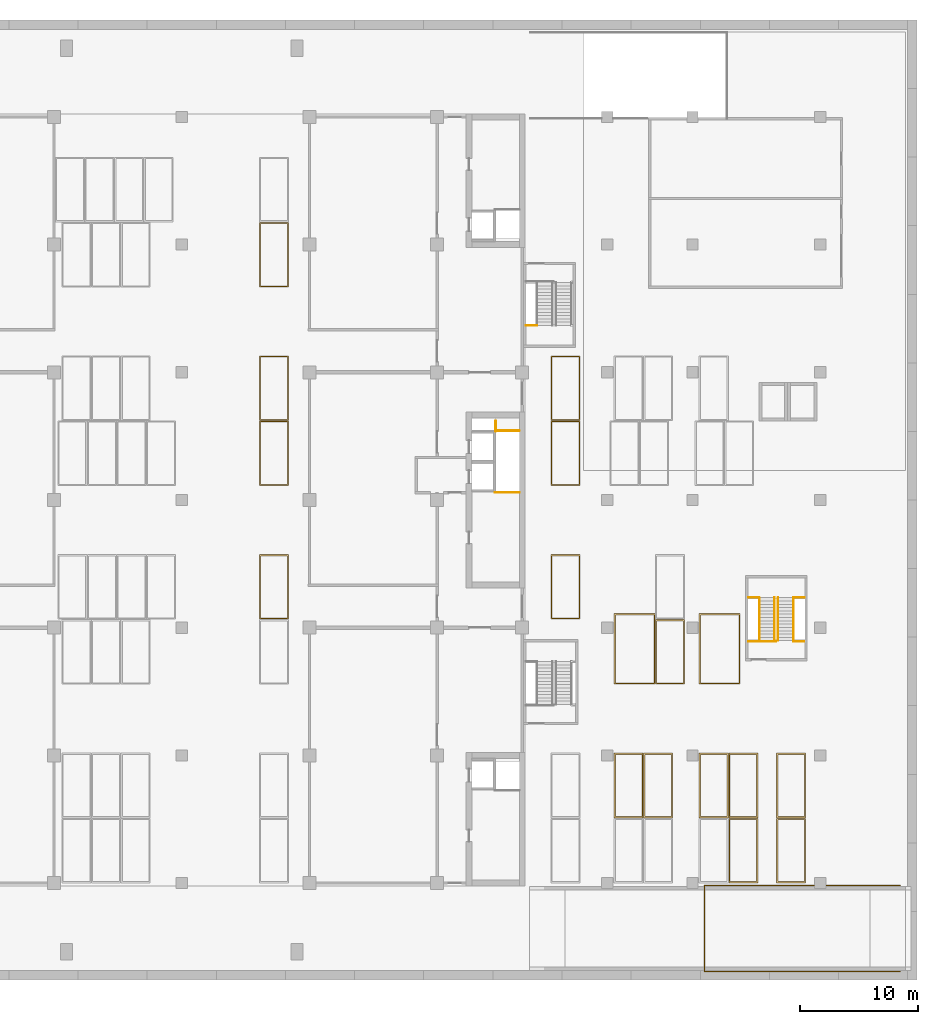
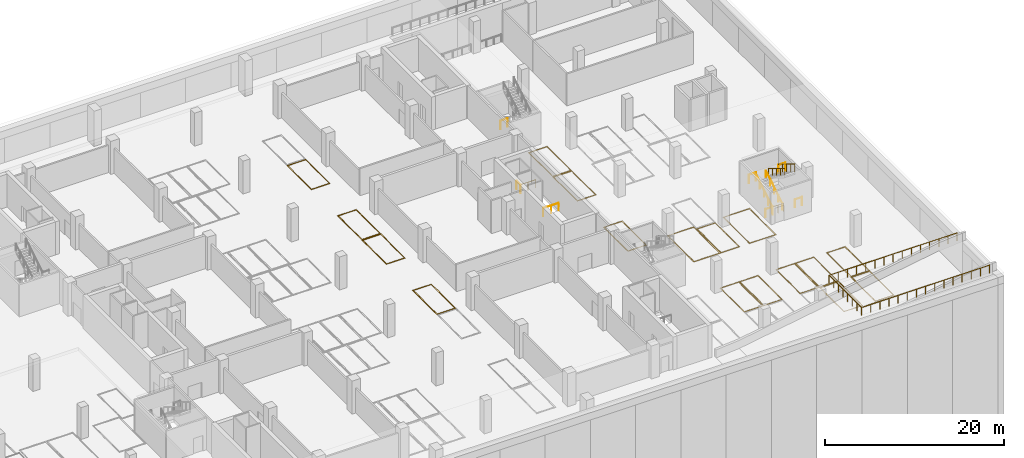
# One storey, part 14 of 18: 17 coverings, 14 railings.
"""IFC4 building model written with IfcOpenShell, lengths in metres."""

from ifc_helpers import new_model, si_unit, direction, frame, origin, origin_2d, place, context, subcontext, project, spatial, polyline, circle, outline, extrude, material, layer, layer_set, type_object, element, save


model = new_model("IFC4")

# Units and contexts
model_context = context("Model", 3, precision=1e-05, world=origin(), true_north=direction((0.0, 1.0)))
body_context = subcontext(model_context, "Body", "Model", "MODEL_VIEW")
ifc_project = project(units=[si_unit("LENGTHUNIT", "METRE"), si_unit("AREAUNIT", "SQUARE_METRE"), si_unit("VOLUMEUNIT", "CUBIC_METRE"), si_unit("PLANEANGLEUNIT", "RADIAN"), si_unit("MASSUNIT", "GRAM", prefix="KILO")], contexts=[model_context])

# Site, building, storey
site_placement = place(None, origin())
site = spatial("IfcSite", under=ifc_project, at=site_placement, CompositionType="ELEMENT")
building_placement = place(site_placement, origin())
building = spatial("IfcBuilding", under=site, at=building_placement, Name="Basin Gate Institute", CompositionType="ELEMENT")
storey_placement = place(building_placement, frame((0.0, 0.0, -4.800048828125)))
storey = spatial("IfcBuildingStorey", under=building, at=storey_placement, Name="B1", CompositionType="ELEMENT", Elevation=-4.800048828125)

# Coverings
ifc_material_1 = material(Name="Road marking paint, blue")
ifc_layer_1 = layer(ifc_material_1, 0.010009765625)
ifc_layer_set_1 = layer_set([ifc_layer_1], Name="Accessible parking bay marking PM2")
covering_type_1 = type_object("IfcCoveringType", Name="Accessible parking bay marking PM2", PredefinedType="FLOORING", material=ifc_layer_set_1)
covering_1_placement = place(storey_placement, origin())
element("IfcCovering", 1, at=covering_1_placement, inside=storey, type_object=covering_type_1, material=ifc_layer_set_1, Name="Accessible parking bay marking B1-05 05", PredefinedType="FLOORING", context=body_context, shape_type="SweptSolid", body=[
    extrude(outline(polyline([(126.570068359375, 51.919921875), (130.030029296875, 51.919921875), (130.030029296875, 57.8798828125), (126.570068359375, 57.8798828125), (126.570068359375, 51.919921875)]), holes=[polyline([(126.669921875, 52.02001953125), (129.929931640625, 52.02001953125), (129.929931640625, 57.780029296875), (126.669921875, 57.780029296875), (126.669921875, 52.02001953125)])]), origin(), (0.0, 0.0, 1.0), 0.010009765625),
])
covering_2_placement = place(storey_placement, origin())
element("IfcCovering", 2, at=covering_2_placement, inside=storey, type_object=covering_type_1, material=ifc_layer_set_1, Name="Accessible parking bay marking B1-05 06", PredefinedType="FLOORING", context=body_context, shape_type="SweptSolid", body=[
    extrude(outline(polyline([(133.77001953125, 51.919921875), (137.22998046875, 51.919921875), (137.22998046875, 57.8798828125), (133.77001953125, 57.8798828125), (133.77001953125, 51.919921875)]), holes=[polyline([(133.8701171875, 52.02001953125), (137.1298828125, 52.02001953125), (137.1298828125, 57.780029296875), (133.8701171875, 57.780029296875), (133.8701171875, 52.02001953125)])]), origin(), (0.0, 0.0, 1.0), 0.010009765625),
])

# Railings
ifc_material_2 = material(Name="Galvanised steel tube and mesh infill", Category="steel")
railing_type_1 = type_object("IfcRailingType", Name="Duct opening guard RL-D", PredefinedType="GUARDRAIL", material=ifc_material_2)
railing_1_placement = place(storey_placement, frame((118.550048828125, 68.139892578125, 0.0)))
element("IfcRailing", 3, at=railing_1_placement, inside=storey, type_object=railing_type_1, material=ifc_material_2, Name="Riser opening guard RL-D EM A", PredefinedType="GUARDRAIL", context=body_context, shape_type="SweptSolid", body=[
    extrude(circle(Radius=0.02392578125, at=origin_2d()), frame((0.0, 0.0, 1.076171875), z_axis=(-1.0, 0.0, 0.0), x_axis=(0.0, -1.0, 0.0)), (0.0, 0.0, 1.0), 2.050048828125),
    extrude(circle(Radius=0.02099609375, at=origin_2d()), origin(), (0.0, 0.0, 1.0), 1.052001953125),
    extrude(circle(Radius=0.02099609375, at=origin_2d()), frame((-1.02490234375, 0.0, 0.0)), (0.0, 0.0, 1.0), 1.052001953125),
    extrude(circle(Radius=0.02099609375, at=origin_2d()), frame((-2.050048828125, 0.0, 0.0)), (0.0, 0.0, 1.0), 1.052001953125),
])
railing_2_placement = place(storey_placement, frame((118.550048828125, 73.360107421875, 0.0)))
element("IfcRailing", 4, at=railing_2_placement, inside=storey, type_object=railing_type_1, material=ifc_material_2, Name="Riser opening guard RL-D EM N", PredefinedType="GUARDRAIL", context=body_context, shape_type="SweptSolid", body=[
    extrude(circle(Radius=0.02392578125, at=origin_2d()), frame((0.0, 0.0, 1.076171875), z_axis=(-1.0, 0.0, 0.0), x_axis=(0.0, -1.0, 0.0)), (0.0, 0.0, 1.0), 1.989990234375),
    extrude(circle(Radius=0.02099609375, at=origin_2d()), origin(), (0.0, 0.0, 1.0), 1.052001953125),
    extrude(circle(Radius=0.02099609375, at=origin_2d()), frame((-0.9951171875, 0.0, 0.0)), (0.0, 0.0, 1.0), 1.052001953125),
    extrude(circle(Radius=0.02099609375, at=origin_2d()), frame((-1.989990234375, 0.0, 0.0)), (0.0, 0.0, 1.0), 1.052001953125),
])
railing_3_placement = place(storey_placement, frame((116.56005859375, 73.300048828125, 0.0)))
element("IfcRailing", 5, at=railing_3_placement, inside=storey, type_object=railing_type_1, material=ifc_material_2, Name="Riser opening guard RL-D EM W", PredefinedType="GUARDRAIL", context=body_context, shape_type="SweptSolid", body=[
    extrude(circle(Radius=0.02392578125, at=origin_2d()), frame((0.0, 0.0, 1.076171875), z_axis=(0.0, 1.0, 0.0), x_axis=(-1.0, 0.0, 0.0)), (0.0, 0.0, 1.0), 0.89990234375),
    extrude(circle(Radius=0.02099609375, at=origin_2d()), origin(), (0.0, 0.0, 1.0), 1.052001953125),
    extrude(circle(Radius=0.02099609375, at=origin_2d()), frame((0.0, 0.89990234375, 0.0)), (0.0, 0.0, 1.0), 1.052001953125),
])

# Coverings
ifc_material_3 = material(Name="Road marking paint, white")
ifc_layer_2 = layer(ifc_material_3, 0.010009765625)
ifc_layer_set_2 = layer_set([ifc_layer_2], Name="Parking bay marking PM1")
covering_type_2 = type_object("IfcCoveringType", Name="Parking bay marking PM1", PredefinedType="FLOORING", material=ifc_layer_set_2)
covering_3_placement = place(storey_placement, origin())
element("IfcCovering", 6, at=covering_3_placement, inside=storey, type_object=covering_type_2, material=ifc_layer_set_2, Name="Parking bay marking B1-05 23", PredefinedType="FLOORING", context=body_context, shape_type="SweptSolid", body=[
    extrude(outline(polyline([(136.27001953125, 35.1201171875), (138.72998046875, 35.1201171875), (138.72998046875, 40.580078125), (136.27001953125, 40.580078125), (136.27001953125, 35.1201171875)]), holes=[polyline([(136.3701171875, 35.219970703125), (138.6298828125, 35.219970703125), (138.6298828125, 40.47998046875), (136.3701171875, 40.47998046875), (136.3701171875, 35.219970703125)])]), origin(), (0.0, 0.0, 1.0), 0.010009765625),
])
covering_4_placement = place(storey_placement, origin())
element("IfcCovering", 7, at=covering_4_placement, inside=storey, type_object=covering_type_2, material=ifc_layer_set_2, Name="Parking bay marking B1-05 25", PredefinedType="FLOORING", context=body_context, shape_type="SweptSolid", body=[
    extrude(outline(polyline([(126.570068359375, 40.6201171875), (129.030029296875, 40.6201171875), (129.030029296875, 46.080078125), (126.570068359375, 46.080078125), (126.570068359375, 40.6201171875)]), holes=[polyline([(126.669921875, 40.719970703125), (128.929931640625, 40.719970703125), (128.929931640625, 45.97998046875), (126.669921875, 45.97998046875), (126.669921875, 40.719970703125)])]), origin(), (0.0, 0.0, 1.0), 0.010009765625),
])
covering_5_placement = place(storey_placement, origin())
element("IfcCovering", 8, at=covering_5_placement, inside=storey, type_object=covering_type_2, material=ifc_layer_set_2, Name="Parking bay marking B1-05 26", PredefinedType="FLOORING", context=body_context, shape_type="SweptSolid", body=[
    extrude(outline(polyline([(129.070068359375, 40.6201171875), (131.530029296875, 40.6201171875), (131.530029296875, 46.080078125), (129.070068359375, 46.080078125), (129.070068359375, 40.6201171875)]), holes=[polyline([(129.169921875, 40.719970703125), (131.429931640625, 40.719970703125), (131.429931640625, 45.97998046875), (129.169921875, 45.97998046875), (129.169921875, 40.719970703125)])]), origin(), (0.0, 0.0, 1.0), 0.010009765625),
])
covering_6_placement = place(storey_placement, origin())
element("IfcCovering", 9, at=covering_6_placement, inside=storey, type_object=covering_type_2, material=ifc_layer_set_2, Name="Parking bay marking B1-05 27", PredefinedType="FLOORING", context=body_context, shape_type="SweptSolid", body=[
    extrude(outline(polyline([(133.77001953125, 40.6201171875), (136.22998046875, 40.6201171875), (136.22998046875, 46.080078125), (133.77001953125, 46.080078125), (133.77001953125, 40.6201171875)]), holes=[polyline([(133.8701171875, 40.719970703125), (136.1298828125, 40.719970703125), (136.1298828125, 45.97998046875), (133.8701171875, 45.97998046875), (133.8701171875, 40.719970703125)])]), origin(), (0.0, 0.0, 1.0), 0.010009765625),
])
covering_7_placement = place(storey_placement, origin())
element("IfcCovering", 10, at=covering_7_placement, inside=storey, type_object=covering_type_2, material=ifc_layer_set_2, Name="Parking bay marking B1-05 28", PredefinedType="FLOORING", context=body_context, shape_type="SweptSolid", body=[
    extrude(outline(polyline([(136.27001953125, 40.6201171875), (138.72998046875, 40.6201171875), (138.72998046875, 46.080078125), (136.27001953125, 46.080078125), (136.27001953125, 40.6201171875)]), holes=[polyline([(136.3701171875, 40.719970703125), (138.6298828125, 40.719970703125), (138.6298828125, 45.97998046875), (136.3701171875, 45.97998046875), (136.3701171875, 40.719970703125)])]), origin(), (0.0, 0.0, 1.0), 0.010009765625),
])
covering_8_placement = place(storey_placement, origin())
element("IfcCovering", 11, at=covering_8_placement, inside=storey, type_object=covering_type_2, material=ifc_layer_set_2, Name="Parking bay marking B1-05 29", PredefinedType="FLOORING", context=body_context, shape_type="SweptSolid", body=[
    extrude(outline(polyline([(130.070068359375, 51.919921875), (132.530029296875, 51.919921875), (132.530029296875, 57.3798828125), (130.070068359375, 57.3798828125), (130.070068359375, 51.919921875)]), holes=[polyline([(130.169921875, 52.02001953125), (132.429931640625, 52.02001953125), (132.429931640625, 57.280029296875), (130.169921875, 57.280029296875), (130.169921875, 52.02001953125)])]), origin(), (0.0, 0.0, 1.0), 0.010009765625),
])
covering_9_placement = place(storey_placement, origin())
element("IfcCovering", 12, at=covering_9_placement, inside=storey, type_object=covering_type_2, material=ifc_layer_set_2, Name="Parking bay marking B1-05 30", PredefinedType="FLOORING", context=body_context, shape_type="SweptSolid", body=[
    extrude(outline(polyline([(121.219970703125, 57.419921875), (123.679931640625, 57.419921875), (123.679931640625, 62.8798828125), (121.219970703125, 62.8798828125), (121.219970703125, 57.419921875)]), holes=[polyline([(121.320068359375, 57.52001953125), (123.580078125, 57.52001953125), (123.580078125, 62.780029296875), (121.320068359375, 62.780029296875), (121.320068359375, 57.52001953125)])]), origin(), (0.0, 0.0, 1.0), 0.010009765625),
])
covering_10_placement = place(storey_placement, origin())
element("IfcCovering", 13, at=covering_10_placement, inside=storey, type_object=covering_type_2, material=ifc_layer_set_2, Name="Parking bay marking B1-05 32", PredefinedType="FLOORING", context=body_context, shape_type="SweptSolid", body=[
    extrude(outline(polyline([(121.219970703125, 68.719970703125), (123.679931640625, 68.719970703125), (123.679931640625, 74.179931640625), (121.219970703125, 74.179931640625), (121.219970703125, 68.719970703125)]), holes=[polyline([(121.320068359375, 68.820068359375), (123.580078125, 68.820068359375), (123.580078125, 74.080078125), (121.320068359375, 74.080078125), (121.320068359375, 68.820068359375)])]), origin(), (0.0, 0.0, 1.0), 0.010009765625),
])
covering_11_placement = place(storey_placement, origin())
element("IfcCovering", 14, at=covering_11_placement, inside=storey, type_object=covering_type_2, material=ifc_layer_set_2, Name="Parking bay marking B1-05 37", PredefinedType="FLOORING", context=body_context, shape_type="SweptSolid", body=[
    extrude(outline(polyline([(121.219970703125, 74.219970703125), (123.679931640625, 74.219970703125), (123.679931640625, 79.679931640625), (121.219970703125, 79.679931640625), (121.219970703125, 74.219970703125)]), holes=[polyline([(121.320068359375, 74.320068359375), (123.580078125, 74.320068359375), (123.580078125, 79.580078125), (121.320068359375, 79.580078125), (121.320068359375, 74.320068359375)])]), origin(), (0.0, 0.0, 1.0), 0.010009765625),
])
covering_12_placement = place(storey_placement, origin())
element("IfcCovering", 15, at=covering_12_placement, inside=storey, type_object=covering_type_2, material=ifc_layer_set_2, Name="Parking bay marking B1-06 41", PredefinedType="FLOORING", context=body_context, shape_type="SweptSolid", body=[
    extrude(outline(polyline([(140.320068359375, 35.1201171875), (142.780029296875, 35.1201171875), (142.780029296875, 40.580078125), (140.320068359375, 40.580078125), (140.320068359375, 35.1201171875)]), holes=[polyline([(140.419921875, 35.219970703125), (142.679931640625, 35.219970703125), (142.679931640625, 40.47998046875), (140.419921875, 40.47998046875), (140.419921875, 35.219970703125)])]), origin(), (0.0, 0.0, 1.0), 0.010009765625),
])
covering_13_placement = place(storey_placement, origin())
element("IfcCovering", 16, at=covering_13_placement, inside=storey, type_object=covering_type_2, material=ifc_layer_set_2, Name="Parking bay marking B1-06 42", PredefinedType="FLOORING", context=body_context, shape_type="SweptSolid", body=[
    extrude(outline(polyline([(140.320068359375, 40.6201171875), (142.780029296875, 40.6201171875), (142.780029296875, 46.080078125), (140.320068359375, 46.080078125), (140.320068359375, 40.6201171875)]), holes=[polyline([(140.419921875, 40.719970703125), (142.679931640625, 40.719970703125), (142.679931640625, 45.97998046875), (140.419921875, 45.97998046875), (140.419921875, 40.719970703125)])]), origin(), (0.0, 0.0, 1.0), 0.010009765625),
])
covering_14_placement = place(storey_placement, origin())
element("IfcCovering", 17, at=covering_14_placement, inside=storey, type_object=covering_type_2, material=ifc_layer_set_2, Name="Parking bay marking B1-03 46", PredefinedType="FLOORING", context=body_context, shape_type="SweptSolid", body=[
    extrude(outline(polyline([(96.570068359375, 57.419921875), (99.030029296875, 57.419921875), (99.030029296875, 62.8798828125), (96.570068359375, 62.8798828125), (96.570068359375, 57.419921875)]), holes=[polyline([(96.669921875, 57.52001953125), (98.929931640625, 57.52001953125), (98.929931640625, 62.780029296875), (96.669921875, 62.780029296875), (96.669921875, 57.52001953125)])]), origin(), (0.0, 0.0, 1.0), 0.010009765625),
])
covering_15_placement = place(storey_placement, origin())
element("IfcCovering", 18, at=covering_15_placement, inside=storey, type_object=covering_type_2, material=ifc_layer_set_2, Name="Parking bay marking B1-03 47", PredefinedType="FLOORING", context=body_context, shape_type="SweptSolid", body=[
    extrude(outline(polyline([(96.570068359375, 68.719970703125), (99.030029296875, 68.719970703125), (99.030029296875, 74.179931640625), (96.570068359375, 74.179931640625), (96.570068359375, 68.719970703125)]), holes=[polyline([(96.669921875, 68.820068359375), (98.929931640625, 68.820068359375), (98.929931640625, 74.080078125), (96.669921875, 74.080078125), (96.669921875, 68.820068359375)])]), origin(), (0.0, 0.0, 1.0), 0.010009765625),
])
covering_16_placement = place(storey_placement, origin())
element("IfcCovering", 19, at=covering_16_placement, inside=storey, type_object=covering_type_2, material=ifc_layer_set_2, Name="Parking bay marking B1-03 48", PredefinedType="FLOORING", context=body_context, shape_type="SweptSolid", body=[
    extrude(outline(polyline([(96.570068359375, 74.219970703125), (99.030029296875, 74.219970703125), (99.030029296875, 79.679931640625), (96.570068359375, 79.679931640625), (96.570068359375, 74.219970703125)]), holes=[polyline([(96.669921875, 74.320068359375), (98.929931640625, 74.320068359375), (98.929931640625, 79.580078125), (96.669921875, 79.580078125), (96.669921875, 74.320068359375)])]), origin(), (0.0, 0.0, 1.0), 0.010009765625),
])
covering_17_placement = place(storey_placement, origin())
element("IfcCovering", 20, at=covering_17_placement, inside=storey, type_object=covering_type_2, material=ifc_layer_set_2, Name="Parking bay marking B1-03 49", PredefinedType="FLOORING", context=body_context, shape_type="SweptSolid", body=[
    extrude(outline(polyline([(96.570068359375, 85.52001953125), (99.030029296875, 85.52001953125), (99.030029296875, 90.97998046875), (96.570068359375, 90.97998046875), (96.570068359375, 85.52001953125)]), holes=[polyline([(96.669921875, 85.6201171875), (98.929931640625, 85.6201171875), (98.929931640625, 90.8798828125), (96.669921875, 90.8798828125), (96.669921875, 85.6201171875)])]), origin(), (0.0, 0.0, 1.0), 0.010009765625),
])

# Railings
ifc_material_4 = material(Name="Galvanised steel", Category="steel")
railing_type_2 = type_object("IfcRailingType", Name="Ramp edge guard GR4", PredefinedType="GUARDRAIL", material=ifc_material_4)
railing_4_placement = place(storey_placement, frame((150.75, 27.6201171875, 4.800048828125)))
element("IfcRailing", 21, at=railing_4_placement, inside=storey, type_object=railing_type_2, material=ifc_material_4, Name="Ramp edge guard GR4 R1 B1", PredefinedType="GUARDRAIL", context=body_context, shape_type="SweptSolid", body=[
    extrude(circle(Radius=0.02392578125, at=origin_2d()), frame((0.0, 0.0, 1.076171875), z_axis=(-1.0, 0.0, 0.0), x_axis=(0.0, -1.0, 0.0)), (0.0, 0.0, 1.0), 16.530029296875),
    extrude(circle(Radius=0.02392578125, at=origin_2d()), frame((-16.530029296875, 0.0, 1.076171875), z_axis=(0.0, 1.0, 0.0), x_axis=(-1.0, 0.0, 0.0)), (0.0, 0.0, 1.0), 7.259765625),
    extrude(circle(Radius=0.02392578125, at=origin_2d()), frame((-16.530029296875, 7.259765625, 1.076171875), z_axis=(1.0, 0.0, 0.0), x_axis=(0.0, 1.0, 0.0)), (0.0, 0.0, 1.0), 16.530029296875),
    extrude(circle(Radius=0.02099609375, at=origin_2d()), origin(), (0.0, 0.0, 1.0), 1.052001953125),
    extrude(circle(Radius=0.02099609375, at=origin_2d()), frame((-1.1806640625, 0.0, 0.0)), (0.0, 0.0, 1.0), 1.052001953125),
    extrude(circle(Radius=0.02099609375, at=origin_2d()), frame((-2.361328125, 0.0, 0.0)), (0.0, 0.0, 1.0), 1.052001953125),
    extrude(circle(Radius=0.02099609375, at=origin_2d()), frame((-3.542236328125, 0.0, 0.0)), (0.0, 0.0, 1.0), 1.052001953125),
    extrude(circle(Radius=0.02099609375, at=origin_2d()), frame((-4.722900390625, 0.0, 0.0)), (0.0, 0.0, 1.0), 1.052001953125),
    extrude(circle(Radius=0.02099609375, at=origin_2d()), frame((-5.903564453125, 0.0, 0.0)), (0.0, 0.0, 1.0), 1.052001953125),
    extrude(circle(Radius=0.02099609375, at=origin_2d()), frame((-7.084228515625, 0.0, 0.0)), (0.0, 0.0, 1.0), 1.052001953125),
    extrude(circle(Radius=0.02099609375, at=origin_2d()), frame((-8.26513671875, 0.0, 0.0)), (0.0, 0.0, 1.0), 1.052001953125),
    extrude(circle(Radius=0.02099609375, at=origin_2d()), frame((-9.44580078125, 0.0, 0.0)), (0.0, 0.0, 1.0), 1.052001953125),
    extrude(circle(Radius=0.02099609375, at=origin_2d()), frame((-10.62646484375, 0.0, 0.0)), (0.0, 0.0, 1.0), 1.052001953125),
    extrude(circle(Radius=0.02099609375, at=origin_2d()), frame((-11.80712890625, 0.0, 0.0)), (0.0, 0.0, 1.0), 1.052001953125),
    extrude(circle(Radius=0.02099609375, at=origin_2d()), frame((-12.98779296875, 0.0, 0.0)), (0.0, 0.0, 1.0), 1.052001953125),
    extrude(circle(Radius=0.02099609375, at=origin_2d()), frame((-14.168701171875, 0.0, 0.0)), (0.0, 0.0, 1.0), 1.052001953125),
    extrude(circle(Radius=0.02099609375, at=origin_2d()), frame((-15.349365234375, 0.0, 0.0)), (0.0, 0.0, 1.0), 1.052001953125),
    extrude(circle(Radius=0.02099609375, at=origin_2d()), frame((-16.530029296875, 0.0, 0.0)), (0.0, 0.0, 1.0), 1.052001953125),
    extrude(circle(Radius=0.02099609375, at=origin_2d()), frame((-16.530029296875, 1.037109375, 0.0)), (0.0, 0.0, 1.0), 1.052001953125),
    extrude(circle(Radius=0.02099609375, at=origin_2d()), frame((-16.530029296875, 2.07421875, 0.0)), (0.0, 0.0, 1.0), 1.052001953125),
    extrude(circle(Radius=0.02099609375, at=origin_2d()), frame((-16.530029296875, 3.111328125, 0.0)), (0.0, 0.0, 1.0), 1.052001953125),
    extrude(circle(Radius=0.02099609375, at=origin_2d()), frame((-16.530029296875, 4.1484375, 0.0)), (0.0, 0.0, 1.0), 1.052001953125),
    extrude(circle(Radius=0.02099609375, at=origin_2d()), frame((-16.530029296875, 5.185546875, 0.0)), (0.0, 0.0, 1.0), 1.052001953125),
    extrude(circle(Radius=0.02099609375, at=origin_2d()), frame((-16.530029296875, 6.22265625, 0.0)), (0.0, 0.0, 1.0), 1.052001953125),
    extrude(circle(Radius=0.02099609375, at=origin_2d()), frame((-16.530029296875, 7.259765625, 0.0)), (0.0, 0.0, 1.0), 1.052001953125),
    extrude(circle(Radius=0.02099609375, at=origin_2d()), frame((-15.349365234375, 7.259765625, 0.0)), (0.0, 0.0, 1.0), 1.052001953125),
    extrude(circle(Radius=0.02099609375, at=origin_2d()), frame((-14.168701171875, 7.259765625, 0.0)), (0.0, 0.0, 1.0), 1.052001953125),
    extrude(circle(Radius=0.02099609375, at=origin_2d()), frame((-12.98779296875, 7.259765625, 0.0)), (0.0, 0.0, 1.0), 1.052001953125),
    extrude(circle(Radius=0.02099609375, at=origin_2d()), frame((-11.80712890625, 7.259765625, 0.0)), (0.0, 0.0, 1.0), 1.052001953125),
    extrude(circle(Radius=0.02099609375, at=origin_2d()), frame((-10.62646484375, 7.259765625, 0.0)), (0.0, 0.0, 1.0), 1.052001953125),
    extrude(circle(Radius=0.02099609375, at=origin_2d()), frame((-9.44580078125, 7.259765625, 0.0)), (0.0, 0.0, 1.0), 1.052001953125),
    extrude(circle(Radius=0.02099609375, at=origin_2d()), frame((-8.26513671875, 7.259765625, 0.0)), (0.0, 0.0, 1.0), 1.052001953125),
    extrude(circle(Radius=0.02099609375, at=origin_2d()), frame((-7.084228515625, 7.259765625, 0.0)), (0.0, 0.0, 1.0), 1.052001953125),
    extrude(circle(Radius=0.02099609375, at=origin_2d()), frame((-5.903564453125, 7.259765625, 0.0)), (0.0, 0.0, 1.0), 1.052001953125),
    extrude(circle(Radius=0.02099609375, at=origin_2d()), frame((-4.722900390625, 7.259765625, 0.0)), (0.0, 0.0, 1.0), 1.052001953125),
    extrude(circle(Radius=0.02099609375, at=origin_2d()), frame((-3.542236328125, 7.259765625, 0.0)), (0.0, 0.0, 1.0), 1.052001953125),
    extrude(circle(Radius=0.02099609375, at=origin_2d()), frame((-2.361328125, 7.259765625, 0.0)), (0.0, 0.0, 1.0), 1.052001953125),
    extrude(circle(Radius=0.02099609375, at=origin_2d()), frame((-1.1806640625, 7.259765625, 0.0)), (0.0, 0.0, 1.0), 1.052001953125),
    extrude(circle(Radius=0.02099609375, at=origin_2d()), frame((0.0, 7.259765625, 0.0)), (0.0, 0.0, 1.0), 1.052001953125),
])
ifc_material_5 = material(Name="Stainless steel", Category="steel")
railing_type_3 = type_object("IfcRailingType", Name="Stair guard GR1", PredefinedType="GUARDRAIL", material=ifc_material_5)
railing_5_placement = place(storey_placement, frame((138.85009765625, 55.52001953125, 0.0)))
element("IfcRailing", 22, at=railing_5_placement, inside=storey, type_object=railing_type_3, material=ifc_material_5, Name="Stair guard GR1 BS6 GD4-B2", PredefinedType="GUARDRAIL", context=body_context, shape_type="SweptSolid", body=[
    extrude(circle(Radius=0.02392578125, at=origin_2d()), frame((0.0, 0.0, 1.076171875), z_axis=(1.0, 0.0, 0.0), x_axis=(0.0, 1.0, 0.0)), (0.0, 0.0, 1.0), 1.39990234375),
    extrude(circle(Radius=0.02099609375, at=origin_2d()), origin(), (0.0, 0.0, 1.0), 1.052001953125),
    extrude(circle(Radius=0.02099609375, at=origin_2d()), frame((0.699951171875, 0.0, 0.0)), (0.0, 0.0, 1.0), 1.052001953125),
    extrude(circle(Radius=0.02099609375, at=origin_2d()), frame((1.39990234375, 0.0, 0.0)), (0.0, 0.0, 1.0), 1.052001953125),
])
railing_6_placement = place(storey_placement, frame((137.929931640625, 55.52001953125, 0.0)))
element("IfcRailing", 23, at=railing_6_placement, inside=storey, type_object=railing_type_3, material=ifc_material_5, Name="Stair guard GR1 BS6 GD4b-B2", PredefinedType="GUARDRAIL", context=body_context, shape_type="SweptSolid", body=[
    extrude(circle(Radius=0.02392578125, at=origin_2d()), frame((0.0, 0.0, 1.076171875), z_axis=(1.0, 0.0, 0.0), x_axis=(0.0, 1.0, 0.0)), (0.0, 0.0, 1.0), 0.920166015625),
    extrude(circle(Radius=0.02099609375, at=origin_2d()), origin(), (0.0, 0.0, 1.0), 1.052001953125),
    extrude(circle(Radius=0.02099609375, at=origin_2d()), frame((0.920166015625, 0.0, 0.0)), (0.0, 0.0, 1.0), 1.052001953125),
])
railing_7_placement = place(storey_placement, frame((141.75, 55.52001953125, 0.0)))
element("IfcRailing", 24, at=railing_7_placement, inside=storey, type_object=railing_type_3, material=ifc_material_5, Name="Stair guard GR1 BS6 GD5-B2", PredefinedType="GUARDRAIL", context=body_context, shape_type="SweptSolid", body=[
    extrude(circle(Radius=0.02392578125, at=origin_2d()), frame((0.0, 0.0, 1.076171875), z_axis=(1.0, 0.0, 0.0), x_axis=(0.0, 1.0, 0.0)), (0.0, 0.0, 1.0), 0.89990234375),
    extrude(circle(Radius=0.02099609375, at=origin_2d()), origin(), (0.0, 0.0, 1.0), 1.052001953125),
    extrude(circle(Radius=0.02099609375, at=origin_2d()), frame((0.89990234375, 0.0, 0.0)), (0.0, 0.0, 1.0), 1.052001953125),
])
railing_8_placement = place(storey_placement, frame((141.75, 59.239990234375, 2.571533203125)))
element("IfcRailing", 25, at=railing_8_placement, inside=storey, type_object=railing_type_3, material=ifc_material_5, Name="Stair guard GR1 BS6 GD1", PredefinedType="GUARDRAIL", context=body_context, shape_type="SweptSolid", body=[
    extrude(circle(Radius=0.02392578125, at=origin_2d()), frame((0.0, 0.0, 1.076171875), z_axis=(0.0, -0.852850264322, 0.5221555579), x_axis=(1.0, 0.0, 0.0)), (0.0, 0.0, 1.0), 4.267822265625),
    extrude(circle(Radius=0.02099609375, at=origin_2d()), origin(), (0.0, 0.0, 1.0), 1.052001953125),
    extrude(circle(Radius=0.02099609375, at=origin_2d()), frame((0.0, -0.909912109375, 0.55712890625)), (0.0, 0.0, 1.0), 1.052001953125),
    extrude(circle(Radius=0.02099609375, at=origin_2d()), frame((0.0, -1.81982421875, 1.1142578125)), (0.0, 0.0, 1.0), 1.052001953125),
    extrude(circle(Radius=0.02099609375, at=origin_2d()), frame((0.0, -2.72998046875, 1.67138671875)), (0.0, 0.0, 1.0), 1.052001953125),
    extrude(circle(Radius=0.02099609375, at=origin_2d()), frame((0.0, -3.639892578125, 2.228515625)), (0.0, 0.0, 1.0), 1.052001953125),
])
ifc_material_6 = material(Name="Stainless steel", Category="steel")
railing_type_4 = type_object("IfcRailingType", Name="Stair guard GR3", PredefinedType="GUARDRAIL", material=ifc_material_6)
railing_9_placement = place(storey_placement, frame((119.1298828125, 82.260009765625, 2.400146484375)))
element("IfcRailing", 26, at=railing_9_placement, inside=storey, type_object=railing_type_4, material=ifc_material_6, Name="Stair guard GR3 BS4 GD2b", PredefinedType="GUARDRAIL", context=body_context, shape_type="SweptSolid", body=[
    extrude(circle(Radius=0.02392578125, at=origin_2d()), frame((0.0, 0.0, 1.1259765625), z_axis=(1.0, 0.0, 0.0), x_axis=(0.0, 1.0, 0.0)), (0.0, 0.0, 1.0), 0.920166015625),
    extrude(circle(Radius=0.02099609375, at=origin_2d()), origin(), (0.0, 0.0, 1.0), 1.101806640625),
    extrude(circle(Radius=0.02099609375, at=origin_2d()), frame((0.920166015625, 0.0, 0.0)), (0.0, 0.0, 1.0), 1.101806640625),
])
railing_10_placement = place(storey_placement, frame((141.75, 59.239990234375, 2.400146484375)))
element("IfcRailing", 27, at=railing_10_placement, inside=storey, type_object=railing_type_4, material=ifc_material_6, Name="Stair guard GR3 BS6 GD2", PredefinedType="GUARDRAIL", context=body_context, shape_type="SweptSolid", body=[
    extrude(circle(Radius=0.02392578125, at=origin_2d()), frame((0.0, 0.0, 1.1259765625), z_axis=(1.0, 0.0, 0.0), x_axis=(0.0, 1.0, 0.0)), (0.0, 0.0, 1.0), 0.919921875),
    extrude(circle(Radius=0.02099609375, at=origin_2d()), origin(), (0.0, 0.0, 1.0), 1.101806640625),
    extrude(circle(Radius=0.02099609375, at=origin_2d()), frame((0.919921875, 0.0, 0.0)), (0.0, 0.0, 1.0), 1.101806640625),
])
railing_11_placement = place(storey_placement, frame((137.929931640625, 59.239990234375, 2.400146484375)))
element("IfcRailing", 28, at=railing_11_placement, inside=storey, type_object=railing_type_4, material=ifc_material_6, Name="Stair guard GR3 BS6 GD2b", PredefinedType="GUARDRAIL", context=body_context, shape_type="SweptSolid", body=[
    extrude(circle(Radius=0.02392578125, at=origin_2d()), frame((0.0, 0.0, 1.1259765625), z_axis=(1.0, 0.0, 0.0), x_axis=(0.0, 1.0, 0.0)), (0.0, 0.0, 1.0), 0.920166015625),
    extrude(circle(Radius=0.02099609375, at=origin_2d()), origin(), (0.0, 0.0, 1.0), 1.101806640625),
    extrude(circle(Radius=0.02099609375, at=origin_2d()), frame((0.920166015625, 0.0, 0.0)), (0.0, 0.0, 1.0), 1.101806640625),
])
ifc_material_7 = material(Name="Stainless steel", Category="steel")
railing_type_5 = type_object("IfcRailingType", Name="Stair handrail HR1", PredefinedType="HANDRAIL", material=ifc_material_7)
for number, where, name in (
    (29, (138.85009765625, 55.60009765625, 0.17138671875), "Stair handrail HR1 BS6 HR1"),
    (30, (140.14990234375, 55.60009765625, 0.17138671875), "Stair handrail HR1 BS6 HR2"),
):
    element("IfcRailing", number, at=place(storey_placement, frame(where)), inside=storey, type_object=railing_type_5, material=ifc_material_7, Name=name, PredefinedType="HANDRAIL", context=body_context, shape_type="SweptSolid", body=[
        extrude(circle(Radius=0.02392578125, at=origin_2d()), frame((0.0, 0.0, 0.89599609375), z_axis=(0.0, 0.852824790078, 0.522197163366), x_axis=(-1.0, 0.0, 0.0)), (0.0, 0.0, 1.0), 4.26806640625),
        extrude(circle(Radius=0.02099609375, at=origin_2d()), origin(), (0.0, 0.0, 1.0), 0.871826171875),
        extrude(circle(Radius=0.02099609375, at=origin_2d()), frame((0.0, 0.909912109375, 0.55712890625)), (0.0, 0.0, 1.0), 0.871826171875),
        extrude(circle(Radius=0.02099609375, at=origin_2d()), frame((0.0, 1.81982421875, 1.1142578125)), (0.0, 0.0, 1.0), 0.871826171875),
        extrude(circle(Radius=0.02099609375, at=origin_2d()), frame((0.0, 2.72998046875, 1.671630859375)), (0.0, 0.0, 1.0), 0.871826171875),
        extrude(circle(Radius=0.02099609375, at=origin_2d()), frame((0.0, 3.639892578125, 2.228759765625)), (0.0, 0.0, 1.0), 0.871826171875),
    ])
railing_12_placement = place(storey_placement, frame((140.449951171875, 59.239990234375, 2.571533203125)))
element("IfcRailing", 31, at=railing_12_placement, inside=storey, type_object=railing_type_5, material=ifc_material_7, Name="Stair handrail HR1 BS6 HR3", PredefinedType="HANDRAIL", context=body_context, shape_type="SweptSolid", body=[
    extrude(circle(Radius=0.02392578125, at=origin_2d()), frame((0.0, 0.0, 0.89599609375), z_axis=(0.0, -0.852850264322, 0.5221555579), x_axis=(1.0, 0.0, 0.0)), (0.0, 0.0, 1.0), 4.267822265625),
    extrude(circle(Radius=0.02099609375, at=origin_2d()), origin(), (0.0, 0.0, 1.0), 0.871826171875),
    extrude(circle(Radius=0.02099609375, at=origin_2d()), frame((0.0, -0.909912109375, 0.55712890625)), (0.0, 0.0, 1.0), 0.871826171875),
    extrude(circle(Radius=0.02099609375, at=origin_2d()), frame((0.0, -1.81982421875, 1.1142578125)), (0.0, 0.0, 1.0), 0.871826171875),
    extrude(circle(Radius=0.02099609375, at=origin_2d()), frame((0.0, -2.72998046875, 1.67138671875)), (0.0, 0.0, 1.0), 0.871826171875),
    extrude(circle(Radius=0.02099609375, at=origin_2d()), frame((0.0, -3.639892578125, 2.228515625)), (0.0, 0.0, 1.0), 0.871826171875),
])

save(model, "model.ifc")
